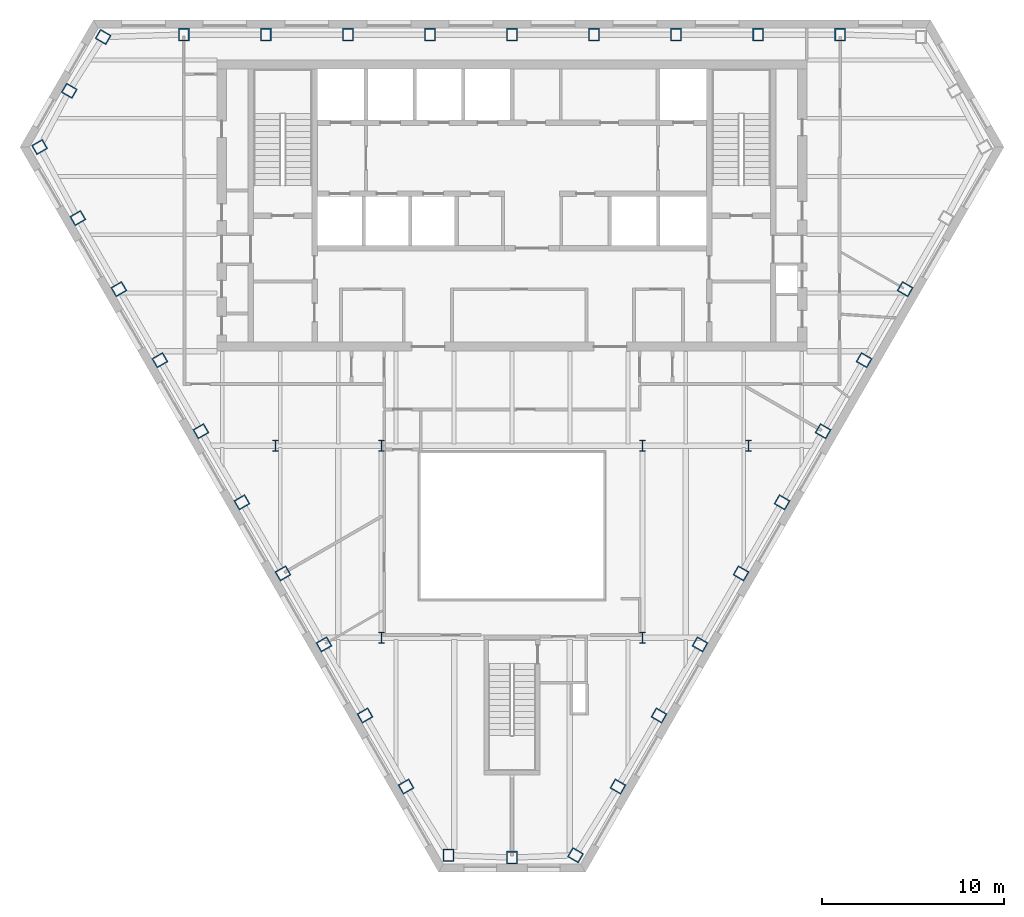
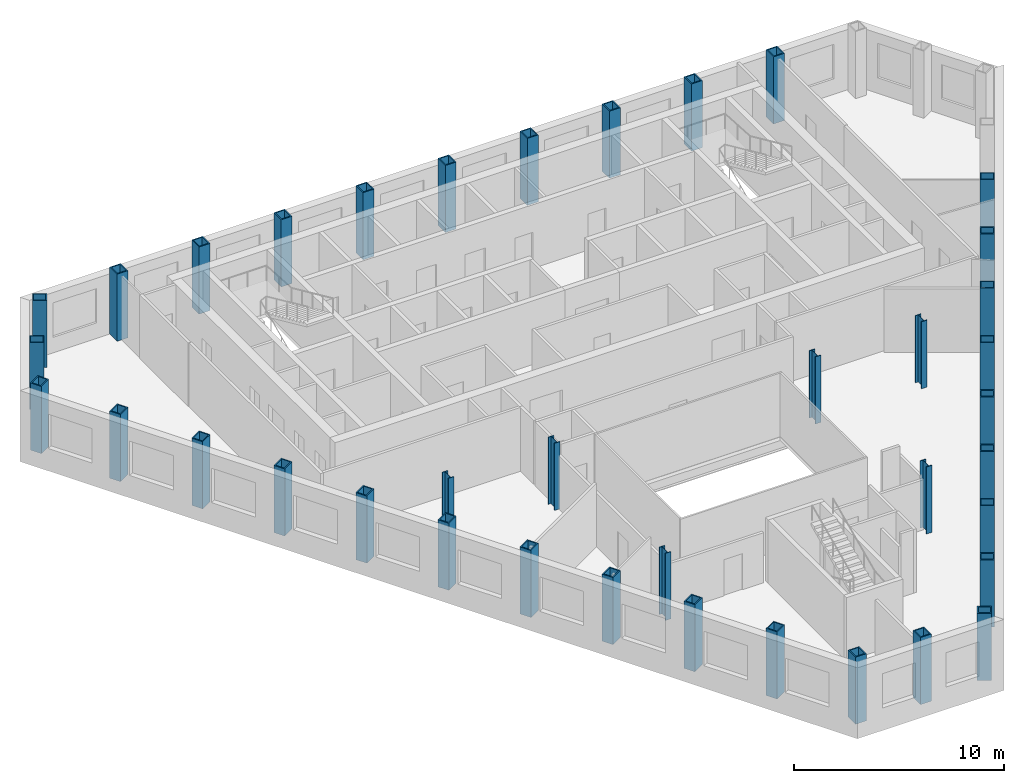
# One storey, part 1 of 11: 38 columns.
"""IFC4 building model written with IfcOpenShell, lengths in metres."""

from ifc_helpers import new_model, si_unit, direction, frame, origin, origin_2d, place, context, subcontext, project, spatial, hollow_rectangle, i_section, extrude, material, material_profile, profile_set, type_object, element, save


model = new_model("IFC4")

# Units and contexts
model_context = context("Model", 3, precision=1e-05, world=origin(), true_north=direction((0.0, 1.0)))
body_context = subcontext(model_context, "Body", "Model", "MODEL_VIEW")
ifc_project = project(units=[si_unit("LENGTHUNIT", "METRE"), si_unit("AREAUNIT", "SQUARE_METRE"), si_unit("VOLUMEUNIT", "CUBIC_METRE"), si_unit("PLANEANGLEUNIT", "RADIAN"), si_unit("MASSUNIT", "GRAM", prefix="KILO")], contexts=[model_context])

# Site, building, storey
site_placement = place(None, origin())
site = spatial("IfcSite", under=ifc_project, at=site_placement, CompositionType="ELEMENT")
building_placement = place(site_placement, origin())
building = spatial("IfcBuilding", under=site, at=building_placement, Name="Njiva Tower", CompositionType="ELEMENT")
storey_placement = place(building_placement, frame((0.0, 0.0, 182.7)))
storey = spatial("IfcBuildingStorey", under=building, at=storey_placement, Name="L40", CompositionType="ELEMENT", Elevation=182.7)

# Columns
ifc_material = material(Name="Steel S355 J2", Category="steel")
ifc_material_profile_1 = material_profile(ifc_material, i_section(OverallWidth=0.305, OverallDepth=0.62, WebThickness=0.021, FlangeThickness=0.04, at=origin_2d()), Name="HEM 600")
ifc_profile_set_1 = profile_set([ifc_material_profile_1], Name="Steel S355 J2")
column_type_1 = type_object("IfcColumnType", Name="C10 Interior column HEM 600", PredefinedType="COLUMN", material=ifc_profile_set_1)
for number, where, z_axis, x_axis, name in (
    (1, (7.17, -3.2, 0.0), (0.0, 0.0, 1.0), (1.0, 0.0, 0.0), "Interior column S13-C37"),
    (2, (-7.17, -3.2, 0.0), (0.0, 0.0, 1.0), (1.0, 0.0, 0.0), "Interior column S13-C38"),
    (3, (7.17, -13.75, 0.0), (0.0, 0.0, 1.0), (1.0, 0.0, 0.0), "Interior column S13-C39"),
    (4, (-7.17, -13.75, 0.0), (0.0, 0.0, 1.0), (1.0, 0.0, 0.0), "Interior column S13-C40"),
    (5, (13.0, -3.2, 0.0), (0.0, 0.0, 1.0), (1.0, 0.0, 0.0), "Interior column S13-C41"),
    (6, (-13.0, -3.2, 0.0), (0.0, 0.0, 1.0), (1.0, 0.0, 0.0), "Interior column S13-C42"),
):
    element("IfcColumn", number, at=place(storey_placement, frame(where, z_axis=z_axis, x_axis=x_axis)), inside=storey, type_object=column_type_1, Name=name, PredefinedType="COLUMN", context=body_context, shape_type="SweptSolid", body=[
        extrude(i_section(OverallWidth=0.305, OverallDepth=0.62, WebThickness=0.021, FlangeThickness=0.04, at=origin_2d()), origin(), (0.0, 0.0, 1.0), 3.9),
    ])
ifc_material_profile_2 = material_profile(ifc_material, hollow_rectangle(XDim=0.6, YDim=0.7, WallThickness=0.06, at=origin_2d()), Name="BOX 700x600x60")
ifc_profile_set_2 = profile_set([ifc_material_profile_2], Name="Steel S355 J2")
column_type_2 = type_object("IfcColumnType", Name="C9 Perimeter tube column BOX 700x600x60", PredefinedType="COLUMN", material=ifc_profile_set_2)
for number, where, z_axis, x_axis, name in (
    (7, (18.034, 19.4, 0.0), (0.0, 0.0, 1.0), (-1.0, 0.0, 0.0), "Perimeter tube column S13-C02"),
    (8, (13.526, 19.4, 0.0), (0.0, 0.0, 1.0), (-1.0, 0.0, 0.0), "Perimeter tube column S13-C03"),
    (9, (9.017, 19.4, 0.0), (0.0, 0.0, 1.0), (-1.0, 0.0, 0.0), "Perimeter tube column S13-C04"),
    (10, (4.509, 19.4, 0.0), (0.0, 0.0, 1.0), (-1.0, 0.0, 0.0), "Perimeter tube column S13-C05"),
    (11, (0.0, 19.4, 0.0), (0.0, 0.0, 1.0), (-1.0, 0.0, 0.0), "Perimeter tube column S13-C06"),
    (12, (-4.509, 19.4, 0.0), (0.0, 0.0, 1.0), (-1.0, 0.0, 0.0), "Perimeter tube column S13-C07"),
    (13, (-9.017, 19.4, 0.0), (0.0, 0.0, 1.0), (-1.0, 0.0, 0.0), "Perimeter tube column S13-C08"),
    (14, (-13.526, 19.4, 0.0), (0.0, 0.0, 1.0), (-1.0, 0.0, 0.0), "Perimeter tube column S13-C09"),
    (15, (-18.034, 19.4, 0.0), (0.0, 0.0, 1.0), (-1.0, 0.0, 0.0), "Perimeter tube column S13-C10"),
    (16, (-22.466, 19.267, 0.0), (0.0, 0.0, 1.0), (-0.5, -0.866025403784, 0.0), "Perimeter tube column S13-C11"),
    (17, (-24.327, 16.31, 0.0), (0.0, 0.0, 1.0), (-0.5, -0.866025403784, 0.0), "Perimeter tube column S13-C12"),
    (18, (-25.958, 13.22, 0.0), (0.0, 0.0, 1.0), (0.5, -0.866025403784, 0.0), "Perimeter tube column S13-C13"),
    (19, (-23.857, 9.315, 0.0), (0.0, 0.0, 1.0), (0.5, -0.866025403784, 0.0), "Perimeter tube column S13-C14"),
    (20, (-21.603, 5.411, 0.0), (0.0, 0.0, 1.0), (0.5, -0.866025403784, 0.0), "Perimeter tube column S13-C15"),
    (21, (-19.348, 1.506, 0.0), (0.0, 0.0, 1.0), (0.5, -0.866025403784, 0.0), "Perimeter tube column S13-C16"),
    (22, (-17.094, -2.398, 0.0), (0.0, 0.0, 1.0), (0.5, -0.866025403784, 0.0), "Perimeter tube column S13-C17"),
    (23, (-14.84, -6.303, 0.0), (0.0, 0.0, 1.0), (0.5, -0.866025403784, 0.0), "Perimeter tube column S13-C18"),
    (24, (-12.585, -10.208, 0.0), (0.0, 0.0, 1.0), (0.5, -0.866025403784, 0.0), "Perimeter tube column S13-C19"),
    (25, (-10.331, -14.112, 0.0), (0.0, 0.0, 1.0), (0.5, -0.866025403784, 0.0), "Perimeter tube column S13-C20"),
    (26, (-8.077, -18.017, 0.0), (0.0, 0.0, 1.0), (0.5, -0.866025403784, 0.0), "Perimeter tube column S13-C21"),
    (27, (-5.822, -21.921, 0.0), (0.0, 0.0, 1.0), (0.5, -0.866025403784, 0.0), "Perimeter tube column S13-C22"),
    (28, (-3.491, -25.693, 0.0), (0.0, 0.0, 1.0), (1.0, 0.0, 0.0), "Perimeter tube column S13-C23"),
    (29, (0.0, -25.826, 0.0), (0.0, 0.0, 1.0), (1.0, 0.0, 0.0), "Perimeter tube column S13-C24"),
    (30, (3.491, -25.693, 0.0), (0.0, 0.0, 1.0), (0.5, 0.866025403784, 0.0), "Perimeter tube column S13-C25"),
    (31, (5.822, -21.921, 0.0), (0.0, 0.0, 1.0), (0.5, 0.866025403784, 0.0), "Perimeter tube column S13-C26"),
    (32, (8.077, -18.017, 0.0), (0.0, 0.0, 1.0), (0.5, 0.866025403784, 0.0), "Perimeter tube column S13-C27"),
    (33, (10.331, -14.112, 0.0), (0.0, 0.0, 1.0), (0.5, 0.866025403784, 0.0), "Perimeter tube column S13-C28"),
    (34, (12.585, -10.208, 0.0), (0.0, 0.0, 1.0), (0.5, 0.866025403784, 0.0), "Perimeter tube column S13-C29"),
    (35, (14.84, -6.303, 0.0), (0.0, 0.0, 1.0), (0.5, 0.866025403784, 0.0), "Perimeter tube column S13-C30"),
    (36, (17.094, -2.398, 0.0), (0.0, 0.0, 1.0), (0.5, 0.866025403784, 0.0), "Perimeter tube column S13-C31"),
    (37, (19.348, 1.506, 0.0), (0.0, 0.0, 1.0), (0.5, 0.866025403784, 0.0), "Perimeter tube column S13-C32"),
    (38, (21.603, 5.411, 0.0), (0.0, 0.0, 1.0), (0.5, 0.866025403784, 0.0), "Perimeter tube column S13-C33"),
):
    element("IfcColumn", number, at=place(storey_placement, frame(where, z_axis=z_axis, x_axis=x_axis)), inside=storey, type_object=column_type_2, Name=name, PredefinedType="COLUMN", context=body_context, shape_type="SweptSolid", body=[
        extrude(hollow_rectangle(XDim=0.6, YDim=0.7, WallThickness=0.06, at=origin_2d()), origin(), (0.0, 0.0, 1.0), 3.9),
    ])

save(model, "model.ifc")
